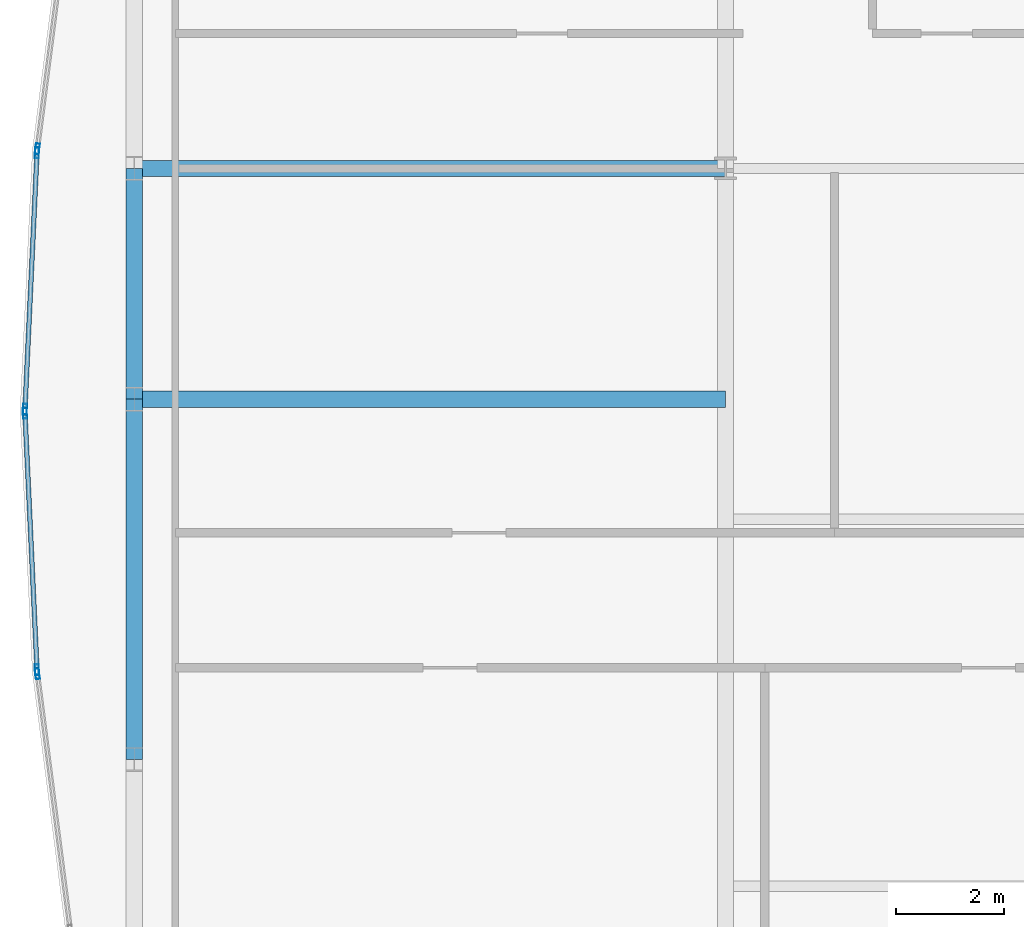
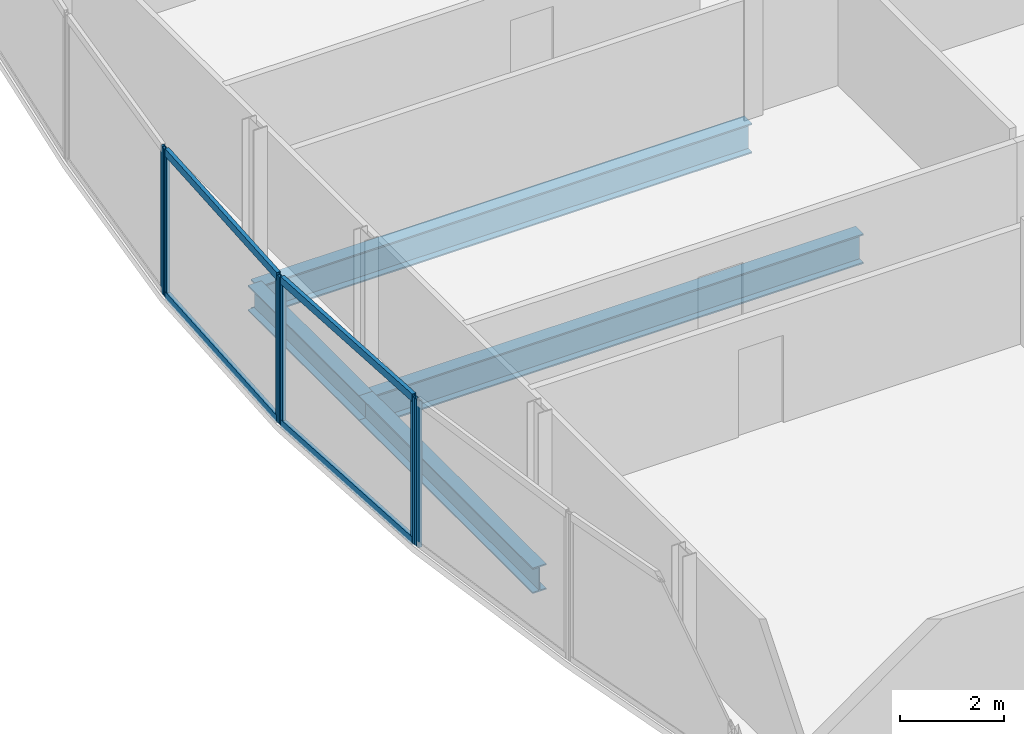
# One storey, part 10 of 30: 10 members, 4 beams, 4 elements without a shape of their own.
"""IFC4 building model written with IfcOpenShell, lengths in metres."""

from ifc_helpers import new_model, si_unit, direction, frame, origin, origin_2d, place, context, subcontext, project, spatial, hollow_rectangle, i_section, extrude, material, material_profile, profile_set, type_object, element, aggregate, save


model = new_model("IFC4")

# Units and contexts
model_context = context("Model", 3, precision=1e-05, world=origin(), true_north=direction((0.0, 1.0)))
body_context = subcontext(model_context, "Body", "Model", "MODEL_VIEW")
ifc_project = project(units=[si_unit("LENGTHUNIT", "METRE"), si_unit("AREAUNIT", "SQUARE_METRE"), si_unit("VOLUMEUNIT", "CUBIC_METRE"), si_unit("PLANEANGLEUNIT", "RADIAN"), si_unit("MASSUNIT", "GRAM", prefix="KILO")], contexts=[model_context])

# Site, building, storey
site_placement = place(None, origin())
site = spatial("IfcSite", under=ifc_project, at=site_placement, CompositionType="ELEMENT")
building_placement = place(site_placement, origin())
building = spatial("IfcBuilding", under=site, at=building_placement, Name="Khoronbel Lancet Exchange", CompositionType="ELEMENT")
storey_placement = place(building_placement, frame((0.0, 0.0, 203.0)))
storey = spatial("IfcBuildingStorey", under=building, at=storey_placement, Name="L51", CompositionType="ELEMENT", Elevation=203.0)

# Beams
ifc_material_1 = material(Name="Steel S355", Category="steel")
ifc_material_profile_1 = material_profile(ifc_material_1, i_section(OverallWidth=0.300048828125, OverallDepth=0.699951171875, WebThickness=0.01708984375, FlangeThickness=0.031982421875, at=origin_2d()), Name="HEB 700")
ifc_profile_set_1 = profile_set([ifc_material_profile_1], Name="Steel S355")
beam_type_1 = type_object("IfcBeamType", Name="BM-BG3", PredefinedType="BEAM", material=ifc_profile_set_1)
for number, where, z_axis, x_axis, name in (
    (1, (7.27001953125, 31.425048828125, -0.510009765625), (1.0, 0.0, 0.0), (0.0, 1.0, 0.0), "Level L51 west lens tie girder LG2W"),
    (2, (7.27001953125, 35.699951171875, -0.510009765625), (1.0, 0.0, 0.0), (0.0, 1.0, 0.0), "Level L51 west lens tie girder LG4W"),
):
    element("IfcBeam", number, at=place(storey_placement, frame(where, z_axis=z_axis, x_axis=x_axis)), inside=storey, type_object=beam_type_1, Name=name, PredefinedType="BEAM", context=body_context, shape_type="SweptSolid", body=[
        extrude(i_section(OverallWidth=0.300048828125, OverallDepth=0.699951171875, WebThickness=0.01708984375, FlangeThickness=0.031982421875, at=origin_2d()), origin(), (0.0, 0.0, 1.0), 10.955078125),
    ])
ifc_material_profile_2 = material_profile(ifc_material_1, i_section(OverallWidth=0.300048828125, OverallDepth=0.60009765625, WebThickness=0.015380859375, FlangeThickness=0.030029296875, at=origin_2d()), Name="HEB 600")
ifc_profile_set_2 = profile_set([ifc_material_profile_2], Name="Steel S355")
beam_type_2 = type_object("IfcBeamType", Name="BM-BSP2", PredefinedType="SPANDREL", material=ifc_profile_set_2)
beam_1_placement = place(storey_placement, frame((7.27001953125, 35.699951171875, -0.4599609375), z_axis=(0.0, -1.0, 0.0), x_axis=(1.0, 0.0, 0.0)))
element("IfcBeam", 3, at=beam_1_placement, inside=storey, type_object=beam_type_2, Name="Level L51 perimeter spandrel beam SP18", PredefinedType="SPANDREL", context=body_context, shape_type="SweptSolid", body=[
    extrude(i_section(OverallWidth=0.300048828125, OverallDepth=0.60009765625, WebThickness=0.015380859375, FlangeThickness=0.030029296875, at=origin_2d()), origin(), (0.0, 0.0, 1.0), 4.27490234375),
])
beam_2_placement = place(storey_placement, frame((7.27001953125, 31.425048828125, -0.4599609375), z_axis=(0.0, -1.0, 0.0), x_axis=(1.0, 0.0, 0.0)))
element("IfcBeam", 4, at=beam_2_placement, inside=storey, type_object=beam_type_2, Name="Level L51 perimeter spandrel beam SP19", PredefinedType="SPANDREL", context=body_context, shape_type="SweptSolid", body=[
    extrude(i_section(OverallWidth=0.300048828125, OverallDepth=0.60009765625, WebThickness=0.015380859375, FlangeThickness=0.030029296875, at=origin_2d()), origin(), (0.0, 0.0, 1.0), 6.675048828125),
])

# Curtain wall, member
ifc_material_2 = material(Name="Low-E Solar Control Insulating Glass", Category="glass")
curtain_wall_type = type_object("IfcCurtainWallType", Name="CW-4", PredefinedType="NOTDEFINED", material=ifc_material_2)
curtain_wall_1_placement = place(storey_placement, origin())
curtain_wall_1 = element("IfcCurtainWall", 5, at=curtain_wall_1_placement, inside=storey, type_object=curtain_wall_type, Name="Unitised curtain wall CW-L51-E05", PredefinedType="NOTDEFINED")
ifc_material_3 = material(Name="Bronze-Anodised Aluminium 6063-T6", Category="aluminium")
ifc_material_profile_3 = material_profile(ifc_material_3, hollow_rectangle(XDim=0.074951171875, YDim=0.199951171875, WallThickness=0.0048828125, at=origin_2d()), Name="ALU MULLION 75x200")
ifc_profile_set_3 = profile_set([ifc_material_profile_3], Name="Bronze-Anodised Aluminium 6063-T6")
member_type_1 = type_object("IfcMemberType", Name="MEM-CWM2", PredefinedType="MULLION", material=ifc_profile_set_3)
member_1_placement = place(storey_placement, frame((5.47509765625, 26.33740234375, 0.0), z_axis=(0.0, 0.0, 1.0), x_axis=(-0.991846611095, -0.127437435866, 0.0)))
member_1 = element("IfcMember", 6, at=member_1_placement, type_object=member_type_1, Name="CW4 mullion 2", PredefinedType="MULLION", context=body_context, shape_type="SweptSolid", body=[
    extrude(hollow_rectangle(XDim=0.074951171875, YDim=0.199951171875, WallThickness=0.0048828125, at=origin_2d()), origin(), (0.0, 0.0, 1.0), 3.43994140625),
])
aggregate(curtain_wall_1, [member_1])

# Curtain wall, members
curtain_wall_2_placement = place(storey_placement, origin())
curtain_wall_2 = element("IfcCurtainWall", 7, at=curtain_wall_2_placement, inside=storey, type_object=curtain_wall_type, Name="Unitised curtain wall CW-L51-E06", PredefinedType="NOTDEFINED")
member_2_placement = place(storey_placement, frame((5.46875, 26.412109375, 0.0), z_axis=(0.0, 0.0, 1.0), x_axis=(-0.998896295296, -0.046970110118, 0.0)))
member_2 = element("IfcMember", 8, at=member_2_placement, type_object=member_type_1, Name="CW4 mullion 1", PredefinedType="MULLION", context=body_context, shape_type="SweptSolid", body=[
    extrude(hollow_rectangle(XDim=0.074951171875, YDim=0.199951171875, WallThickness=0.0048828125, at=origin_2d()), origin(), (0.0, 0.0, 1.0), 3.43994140625),
])
member_3_placement = place(storey_placement, frame((5.245361328125, 31.16259765625, 0.0), z_axis=(0.0, 0.0, 1.0), x_axis=(-0.998896295296, -0.046970110118, 0.0)))
member_3 = element("IfcMember", 9, at=member_3_placement, type_object=member_type_1, Name="CW4 mullion 2", PredefinedType="MULLION", context=body_context, shape_type="SweptSolid", body=[
    extrude(hollow_rectangle(XDim=0.074951171875, YDim=0.199951171875, WallThickness=0.0048828125, at=origin_2d()), origin(), (0.0, 0.0, 1.0), 3.43994140625),
])

curtain_wall_3_placement = place(storey_placement, origin())
curtain_wall_3 = element("IfcCurtainWall", 10, at=curtain_wall_3_placement, inside=storey, type_object=curtain_wall_type, Name="Unitised curtain wall CW-L51-E07", PredefinedType="NOTDEFINED")
member_4_placement = place(storey_placement, frame((5.245361328125, 31.237548828125, 0.0), z_axis=(0.0, 0.0, 1.0), x_axis=(-0.998896295296, 0.046970110118, 0.0)))
member_4 = element("IfcMember", 11, at=member_4_placement, type_object=member_type_1, Name="CW4 mullion 1", PredefinedType="MULLION", context=body_context, shape_type="SweptSolid", body=[
    extrude(hollow_rectangle(XDim=0.074951171875, YDim=0.199951171875, WallThickness=0.0048828125, at=origin_2d()), origin(), (0.0, 0.0, 1.0), 3.43994140625),
])
member_5_placement = place(storey_placement, frame((5.46875, 35.988037109375, 0.0), z_axis=(0.0, 0.0, 1.0), x_axis=(-0.998896295296, 0.046970110118, 0.0)))
member_5 = element("IfcMember", 12, at=member_5_placement, type_object=member_type_1, Name="CW4 mullion 2", PredefinedType="MULLION", context=body_context, shape_type="SweptSolid", body=[
    extrude(hollow_rectangle(XDim=0.074951171875, YDim=0.199951171875, WallThickness=0.0048828125, at=origin_2d()), origin(), (0.0, 0.0, 1.0), 3.43994140625),
])

# Curtain wall, member
curtain_wall_4_placement = place(storey_placement, origin())
curtain_wall_4 = element("IfcCurtainWall", 13, at=curtain_wall_4_placement, inside=storey, type_object=curtain_wall_type, Name="Unitised curtain wall CW-L51-E08", PredefinedType="NOTDEFINED")
member_6_placement = place(storey_placement, frame((5.47509765625, 36.0625, 0.0), z_axis=(0.0, 0.0, 1.0), x_axis=(-0.991846611095, 0.127437435866, 0.0)))
member_6 = element("IfcMember", 14, at=member_6_placement, type_object=member_type_1, Name="CW4 mullion 1", PredefinedType="MULLION", context=body_context, shape_type="SweptSolid", body=[
    extrude(hollow_rectangle(XDim=0.074951171875, YDim=0.199951171875, WallThickness=0.0048828125, at=origin_2d()), origin(), (0.0, 0.0, 1.0), 3.43994140625),
])
aggregate(curtain_wall_4, [member_6])

# Member
ifc_material_profile_4 = material_profile(ifc_material_3, hollow_rectangle(XDim=0.0849609375, YDim=0.179931640625, WallThickness=0.0048828125, at=origin_2d()), Name="ALU TRANSOM 85x180")
ifc_profile_set_4 = profile_set([ifc_material_profile_4], Name="Bronze-Anodised Aluminium 6063-T6")
member_type_2 = type_object("IfcMemberType", Name="MEM-CWT1", PredefinedType="USERDEFINED", material=ifc_profile_set_4)
member_7_placement = place(storey_placement, frame((5.466796875, 26.449462890625, 0.04248046875), z_axis=(-0.046943126072, 0.998897563774, 0.0), x_axis=(-0.998897563774, -0.046943126072, 0.0)))
member_7 = element("IfcMember", 15, at=member_7_placement, type_object=member_type_2, Name="CW4 transom 1.1", ObjectType="TRANSOM", PredefinedType="USERDEFINED", context=body_context, shape_type="SweptSolid", body=[
    extrude(hollow_rectangle(XDim=0.0849609375, YDim=0.179931640625, WallThickness=0.0048828125, at=origin_2d()), origin(), (0.0, 0.0, 1.0), 4.6806640625),
])

member_8_placement = place(storey_placement, frame((5.466796875, 26.449462890625, 3.3974609375), z_axis=(-0.046943126072, 0.998897563774, 0.0), x_axis=(-0.998897563774, -0.046943126072, 0.0)))
member_8 = element("IfcMember", 16, at=member_8_placement, type_object=member_type_2, Name="CW4 transom 1.2", ObjectType="TRANSOM", PredefinedType="USERDEFINED", context=body_context, shape_type="SweptSolid", body=[
    extrude(hollow_rectangle(XDim=0.0849609375, YDim=0.179931640625, WallThickness=0.0048828125, at=origin_2d()), origin(), (0.0, 0.0, 1.0), 4.6806640625),
])

aggregate(curtain_wall_2, [member_2, member_3, member_7, member_8])

member_9_placement = place(storey_placement, frame((5.2470703125, 31.27490234375, 0.04248046875), z_axis=(0.046943126072, 0.998897563774, 0.0), x_axis=(-0.998897563774, 0.046943126072, 0.0)))
member_9 = element("IfcMember", 17, at=member_9_placement, type_object=member_type_2, Name="CW4 transom 1.1", ObjectType="TRANSOM", PredefinedType="USERDEFINED", context=body_context, shape_type="SweptSolid", body=[
    extrude(hollow_rectangle(XDim=0.0849609375, YDim=0.179931640625, WallThickness=0.0048828125, at=origin_2d()), origin(), (0.0, 0.0, 1.0), 4.6806640625),
])

member_10_placement = place(storey_placement, frame((5.2470703125, 31.27490234375, 3.3974609375), z_axis=(0.046943126072, 0.998897563774, 0.0), x_axis=(-0.998897563774, 0.046943126072, 0.0)))
member_10 = element("IfcMember", 18, at=member_10_placement, type_object=member_type_2, Name="CW4 transom 1.2", ObjectType="TRANSOM", PredefinedType="USERDEFINED", context=body_context, shape_type="SweptSolid", body=[
    extrude(hollow_rectangle(XDim=0.0849609375, YDim=0.179931640625, WallThickness=0.0048828125, at=origin_2d()), origin(), (0.0, 0.0, 1.0), 4.6806640625),
])

aggregate(curtain_wall_3, [member_4, member_5, member_9, member_10])

save(model, "model.ifc")
